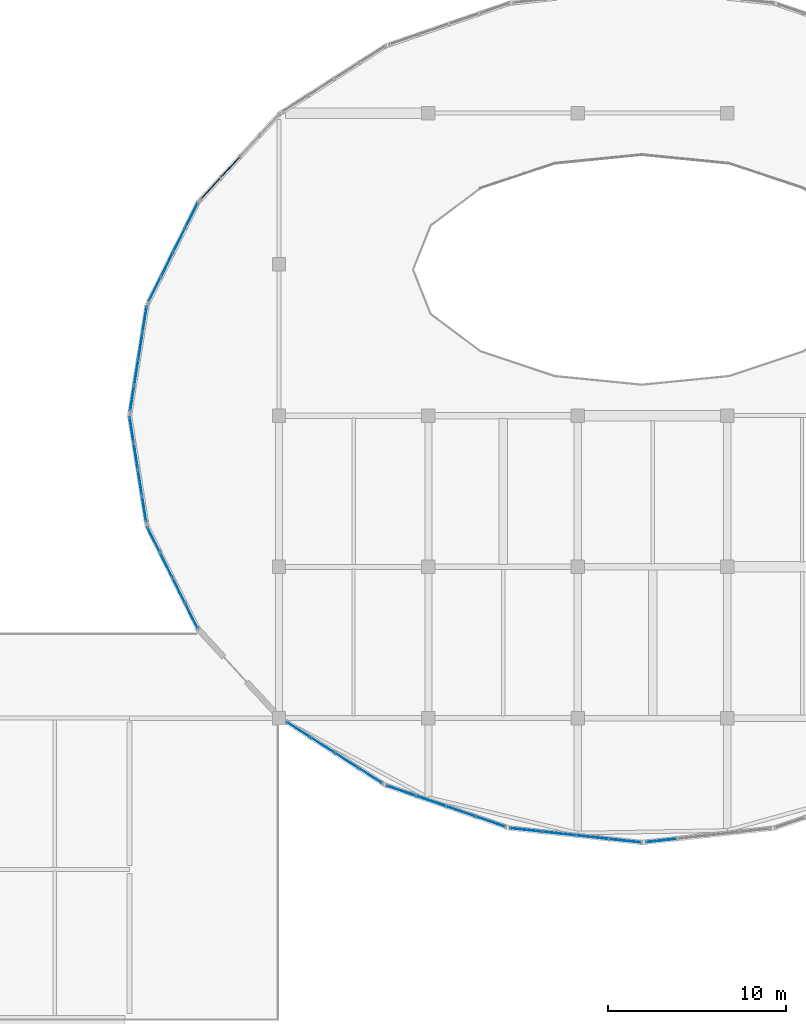
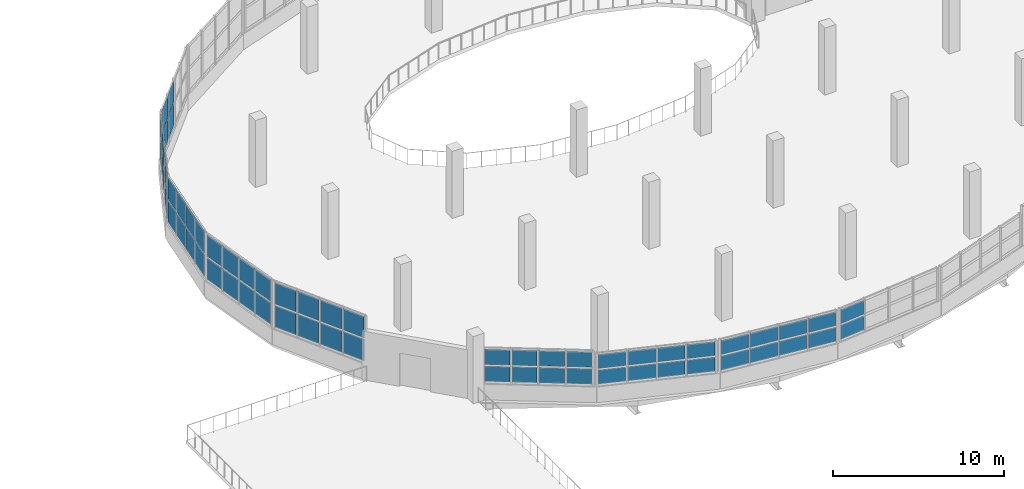
# One storey, part 50 of 77: 62 plates, 9 elements without a shape of their own.
"""IFC4 building model written with IfcOpenShell, lengths in metres."""

from ifc_helpers import new_model, si_unit, direction, frame, origin, origin_2d, place, context, subcontext, project, spatial, rectangle, extrude, material, type_object, element, aggregate, save


model = new_model("IFC4")

# Units and contexts
model_context = context("Model", 3, precision=1e-05, world=origin(), true_north=direction((0.0, 1.0)))
body_context = subcontext(model_context, "Body", "Model", "MODEL_VIEW")
ifc_project = project(units=[si_unit("LENGTHUNIT", "METRE"), si_unit("AREAUNIT", "SQUARE_METRE"), si_unit("VOLUMEUNIT", "CUBIC_METRE"), si_unit("PLANEANGLEUNIT", "RADIAN"), si_unit("MASSUNIT", "GRAM", prefix="KILO")], contexts=[model_context])

# Site, building, storey
site_placement = place(None, origin())
site = spatial("IfcSite", under=ifc_project, at=site_placement, CompositionType="ELEMENT")
building_placement = place(site_placement, origin())
building = spatial("IfcBuilding", under=site, at=building_placement, Name="Solvento Point Concert Hall", CompositionType="ELEMENT")
storey_placement = place(building_placement, frame((0.0, 0.0, 10.199951171875)))
storey = spatial("IfcBuildingStorey", under=building, at=storey_placement, Name="L02", CompositionType="ELEMENT", Elevation=10.199951171875)

# Curtain wall, plates
ifc_material_1 = material(Name="Anodized Bronze Aluminium", Category="aluminium")
curtain_wall_type = type_object("IfcCurtainWallType", Name="CurtainWall_RingRibbon_L01_02", PredefinedType="USERDEFINED", material=ifc_material_1)
curtain_wall_1_placement = place(storey_placement, origin())
curtain_wall_1 = element("IfcCurtainWall", 1, at=curtain_wall_1_placement, inside=storey, type_object=curtain_wall_type, Name="Unitised curtain wall CW-59 UCW-L02-165", ObjectType="UNITISED CURTAIN WALL", PredefinedType="USERDEFINED")
ifc_material_2 = material(Name="Hurricane Laminated Low-E Glass", Category="glass")
plate_type = type_object("IfcPlateType", Name="CurtainPanel_RingLower", PredefinedType="CURTAIN_PANEL", material=ifc_material_2)
plate_1_placement = place(storey_placement, frame((60.245849609375, 10.104736328125, 1.239990234375), z_axis=(0.0, 0.0, 1.0), x_axis=(-0.994035418963, 0.109057717961, 0.0)))
plate_1 = element("IfcPlate", 2, at=plate_1_placement, type_object=plate_type, Name="Glazed curtain panel GL-02", PredefinedType="CURTAIN_PANEL", context=body_context, shape_type="SweptSolid", body=[
    extrude(rectangle(XDim=1.73974609375, YDim=0.0439453125, at=origin_2d()), origin(), (0.0, 0.0, 1.0), 1.0009765625),
])
plate_2_placement = place(storey_placement, frame((60.245849609375, 10.104736328125, 2.361083984375), z_axis=(0.0, 0.0, 1.0), x_axis=(-0.994035418963, 0.109057717961, 0.0)))
plate_2 = element("IfcPlate", 3, at=plate_2_placement, type_object=plate_type, Name="Glazed curtain panel GL-02", PredefinedType="CURTAIN_PANEL", context=body_context, shape_type="SweptSolid", body=[
    extrude(rectangle(XDim=1.73974609375, YDim=0.0439453125, at=origin_2d()), origin(), (0.0, 0.0, 1.0), 1.0009765625),
])
plate_3_placement = place(storey_placement, frame((58.397216796875, 10.3076171875, 1.239990234375), z_axis=(0.0, 0.0, 1.0), x_axis=(-0.994035418963, 0.109057717961, 0.0)))
plate_3 = element("IfcPlate", 4, at=plate_3_placement, type_object=plate_type, Name="Glazed curtain panel GL-02", PredefinedType="CURTAIN_PANEL", context=body_context, shape_type="SweptSolid", body=[
    extrude(rectangle(XDim=1.73974609375, YDim=0.0439453125, at=origin_2d()), origin(), (0.0, 0.0, 1.0), 1.0009765625),
])
plate_4_placement = place(storey_placement, frame((58.397216796875, 10.3076171875, 2.361083984375), z_axis=(0.0, 0.0, 1.0), x_axis=(-0.994035418963, 0.109057717961, 0.0)))
plate_4 = element("IfcPlate", 5, at=plate_4_placement, type_object=plate_type, Name="Glazed curtain panel GL-02", PredefinedType="CURTAIN_PANEL", context=body_context, shape_type="SweptSolid", body=[
    extrude(rectangle(XDim=1.73974609375, YDim=0.0439453125, at=origin_2d()), origin(), (0.0, 0.0, 1.0), 1.0009765625),
])
plate_5_placement = place(storey_placement, frame((56.548583984375, 10.51025390625, 1.239990234375), z_axis=(0.0, 0.0, 1.0), x_axis=(-0.994035418963, 0.109057717961, 0.0)))
plate_5 = element("IfcPlate", 6, at=plate_5_placement, type_object=plate_type, Name="Glazed curtain panel GL-02", PredefinedType="CURTAIN_PANEL", context=body_context, shape_type="SweptSolid", body=[
    extrude(rectangle(XDim=1.73974609375, YDim=0.0439453125, at=origin_2d()), origin(), (0.0, 0.0, 1.0), 1.0009765625),
])
plate_6_placement = place(storey_placement, frame((56.548583984375, 10.51025390625, 2.361083984375), z_axis=(0.0, 0.0, 1.0), x_axis=(-0.994035418963, 0.109057717961, 0.0)))
plate_6 = element("IfcPlate", 7, at=plate_6_placement, type_object=plate_type, Name="Glazed curtain panel GL-02", PredefinedType="CURTAIN_PANEL", context=body_context, shape_type="SweptSolid", body=[
    extrude(rectangle(XDim=1.73974609375, YDim=0.0439453125, at=origin_2d()), origin(), (0.0, 0.0, 1.0), 1.0009765625),
])
plate_7_placement = place(storey_placement, frame((54.7001953125, 10.713134765625, 1.239990234375), z_axis=(0.0, 0.0, 1.0), x_axis=(-0.994035418963, 0.109057717961, 0.0)))
plate_7 = element("IfcPlate", 8, at=plate_7_placement, type_object=plate_type, Name="Glazed curtain panel GL-02", PredefinedType="CURTAIN_PANEL", context=body_context, shape_type="SweptSolid", body=[
    extrude(rectangle(XDim=1.73974609375, YDim=0.0439453125, at=origin_2d()), origin(), (0.0, 0.0, 1.0), 1.0009765625),
])
plate_8_placement = place(storey_placement, frame((54.7001953125, 10.713134765625, 2.361083984375), z_axis=(0.0, 0.0, 1.0), x_axis=(-0.994035418963, 0.109057717961, 0.0)))
plate_8 = element("IfcPlate", 9, at=plate_8_placement, type_object=plate_type, Name="Glazed curtain panel GL-02", PredefinedType="CURTAIN_PANEL", context=body_context, shape_type="SweptSolid", body=[
    extrude(rectangle(XDim=1.73974609375, YDim=0.0439453125, at=origin_2d()), origin(), (0.0, 0.0, 1.0), 1.0009765625),
])
aggregate(curtain_wall_1, [plate_1, plate_2, plate_3, plate_4, plate_5, plate_6, plate_7, plate_8])

curtain_wall_2_placement = place(storey_placement, origin())
curtain_wall_2 = element("IfcCurtainWall", 10, at=curtain_wall_2_placement, inside=storey, type_object=curtain_wall_type, Name="Unitised curtain wall CW-59 UCW-L02-166", ObjectType="UNITISED CURTAIN WALL", PredefinedType="USERDEFINED")
plate_9_placement = place(storey_placement, frame((52.69921875, 11.17919921875, 1.239990234375), z_axis=(0.0, 0.0, 1.0), x_axis=(-0.945271125843, 0.326285915492, 0.0)))
plate_9 = element("IfcPlate", 11, at=plate_9_placement, type_object=plate_type, Name="Glazed curtain panel GL-02", PredefinedType="CURTAIN_PANEL", context=body_context, shape_type="SweptSolid", body=[
    extrude(rectangle(XDim=1.654541015625, YDim=0.0439453125, at=origin_2d()), origin(), (0.0, 0.0, 1.0), 1.0009765625),
])
plate_10_placement = place(storey_placement, frame((52.69921875, 11.17919921875, 2.361083984375), z_axis=(0.0, 0.0, 1.0), x_axis=(-0.945271125843, 0.326285915492, 0.0)))
plate_10 = element("IfcPlate", 12, at=plate_10_placement, type_object=plate_type, Name="Glazed curtain panel GL-02", PredefinedType="CURTAIN_PANEL", context=body_context, shape_type="SweptSolid", body=[
    extrude(rectangle(XDim=1.654541015625, YDim=0.0439453125, at=origin_2d()), origin(), (0.0, 0.0, 1.0), 1.0009765625),
])
plate_11_placement = place(storey_placement, frame((51.02197265625, 11.758056640625, 1.239990234375), z_axis=(0.0, 0.0, 1.0), x_axis=(-0.945271125843, 0.326285915492, 0.0)))
plate_11 = element("IfcPlate", 13, at=plate_11_placement, type_object=plate_type, Name="Glazed curtain panel GL-02", PredefinedType="CURTAIN_PANEL", context=body_context, shape_type="SweptSolid", body=[
    extrude(rectangle(XDim=1.654541015625, YDim=0.0439453125, at=origin_2d()), origin(), (0.0, 0.0, 1.0), 1.0009765625),
])
plate_12_placement = place(storey_placement, frame((51.02197265625, 11.758056640625, 2.361083984375), z_axis=(0.0, 0.0, 1.0), x_axis=(-0.945271125843, 0.326285915492, 0.0)))
plate_12 = element("IfcPlate", 14, at=plate_12_placement, type_object=plate_type, Name="Glazed curtain panel GL-02", PredefinedType="CURTAIN_PANEL", context=body_context, shape_type="SweptSolid", body=[
    extrude(rectangle(XDim=1.654541015625, YDim=0.0439453125, at=origin_2d()), origin(), (0.0, 0.0, 1.0), 1.0009765625),
])
plate_13_placement = place(storey_placement, frame((49.344482421875, 12.337158203125, 1.239990234375), z_axis=(0.0, 0.0, 1.0), x_axis=(-0.945271125843, 0.326285915492, 0.0)))
plate_13 = element("IfcPlate", 15, at=plate_13_placement, type_object=plate_type, Name="Glazed curtain panel GL-02", PredefinedType="CURTAIN_PANEL", context=body_context, shape_type="SweptSolid", body=[
    extrude(rectangle(XDim=1.654541015625, YDim=0.0439453125, at=origin_2d()), origin(), (0.0, 0.0, 1.0), 1.0009765625),
])
plate_14_placement = place(storey_placement, frame((49.344482421875, 12.337158203125, 2.361083984375), z_axis=(0.0, 0.0, 1.0), x_axis=(-0.945271125843, 0.326285915492, 0.0)))
plate_14 = element("IfcPlate", 16, at=plate_14_placement, type_object=plate_type, Name="Glazed curtain panel GL-02", PredefinedType="CURTAIN_PANEL", context=body_context, shape_type="SweptSolid", body=[
    extrude(rectangle(XDim=1.654541015625, YDim=0.0439453125, at=origin_2d()), origin(), (0.0, 0.0, 1.0), 1.0009765625),
])
plate_15_placement = place(storey_placement, frame((47.6669921875, 12.916015625, 1.239990234375), z_axis=(0.0, 0.0, 1.0), x_axis=(-0.945271125843, 0.326285915492, 0.0)))
plate_15 = element("IfcPlate", 17, at=plate_15_placement, type_object=plate_type, Name="Glazed curtain panel GL-02", PredefinedType="CURTAIN_PANEL", context=body_context, shape_type="SweptSolid", body=[
    extrude(rectangle(XDim=1.654541015625, YDim=0.0439453125, at=origin_2d()), origin(), (0.0, 0.0, 1.0), 1.0009765625),
])
plate_16_placement = place(storey_placement, frame((47.6669921875, 12.916015625, 2.361083984375), z_axis=(0.0, 0.0, 1.0), x_axis=(-0.945271125843, 0.326285915492, 0.0)))
plate_16 = element("IfcPlate", 18, at=plate_16_placement, type_object=plate_type, Name="Glazed curtain panel GL-02", PredefinedType="CURTAIN_PANEL", context=body_context, shape_type="SweptSolid", body=[
    extrude(rectangle(XDim=1.654541015625, YDim=0.0439453125, at=origin_2d()), origin(), (0.0, 0.0, 1.0), 1.0009765625),
])
aggregate(curtain_wall_2, [plate_9, plate_10, plate_11, plate_12, plate_13, plate_14, plate_15, plate_16])

curtain_wall_3_placement = place(storey_placement, origin())
curtain_wall_3 = element("IfcCurtainWall", 19, at=curtain_wall_3_placement, inside=storey, type_object=curtain_wall_type, Name="Unitised curtain wall CW-59 UCW-L02-167", ObjectType="UNITISED CURTAIN WALL", PredefinedType="USERDEFINED")
plate_17_placement = place(storey_placement, frame((45.9404296875, 13.76513671875, 1.23974609375), z_axis=(0.0, 0.0, 1.0), x_axis=(-0.842490008251, 0.538711969421, 0.0)))
plate_17 = element("IfcPlate", 20, at=plate_17_placement, type_object=plate_type, Name="Glazed curtain panel GL-02", PredefinedType="CURTAIN_PANEL", context=body_context, shape_type="SweptSolid", body=[
    extrude(rectangle(XDim=1.480712890625, YDim=0.0439453125, at=origin_2d()), origin(), (0.0, 0.0, 1.0), 1.092529296875),
])
plate_18_placement = place(storey_placement, frame((45.9404296875, 13.76513671875, 2.45263671875), z_axis=(0.0, 0.0, 1.0), x_axis=(-0.842490008251, 0.538711969421, 0.0)))
plate_18 = element("IfcPlate", 21, at=plate_18_placement, type_object=plate_type, Name="Glazed curtain panel GL-02", PredefinedType="CURTAIN_PANEL", context=body_context, shape_type="SweptSolid", body=[
    extrude(rectangle(XDim=1.480712890625, YDim=0.0439453125, at=origin_2d()), origin(), (0.0, 0.0, 1.0), 1.092529296875),
])
plate_19_placement = place(storey_placement, frame((44.591796875, 14.62744140625, 1.23974609375), z_axis=(0.0, 0.0, 1.0), x_axis=(-0.842490008251, 0.538711969421, 0.0)))
plate_19 = element("IfcPlate", 22, at=plate_19_placement, type_object=plate_type, Name="Glazed curtain panel GL-02", PredefinedType="CURTAIN_PANEL", context=body_context, shape_type="SweptSolid", body=[
    extrude(rectangle(XDim=1.480712890625, YDim=0.0439453125, at=origin_2d()), origin(), (0.0, 0.0, 1.0), 1.092529296875),
])
plate_20_placement = place(storey_placement, frame((44.591796875, 14.62744140625, 2.45263671875), z_axis=(0.0, 0.0, 1.0), x_axis=(-0.842490008251, 0.538711969421, 0.0)))
plate_20 = element("IfcPlate", 23, at=plate_20_placement, type_object=plate_type, Name="Glazed curtain panel GL-02", PredefinedType="CURTAIN_PANEL", context=body_context, shape_type="SweptSolid", body=[
    extrude(rectangle(XDim=1.480712890625, YDim=0.0439453125, at=origin_2d()), origin(), (0.0, 0.0, 1.0), 1.092529296875),
])
plate_21_placement = place(storey_placement, frame((43.2431640625, 15.48974609375, 1.23974609375), z_axis=(0.0, 0.0, 1.0), x_axis=(-0.842490008251, 0.538711969421, 0.0)))
plate_21 = element("IfcPlate", 24, at=plate_21_placement, type_object=plate_type, Name="Glazed curtain panel GL-02", PredefinedType="CURTAIN_PANEL", context=body_context, shape_type="SweptSolid", body=[
    extrude(rectangle(XDim=1.480712890625, YDim=0.0439453125, at=origin_2d()), origin(), (0.0, 0.0, 1.0), 1.092529296875),
])
plate_22_placement = place(storey_placement, frame((43.2431640625, 15.48974609375, 2.45263671875), z_axis=(0.0, 0.0, 1.0), x_axis=(-0.842490008251, 0.538711969421, 0.0)))
plate_22 = element("IfcPlate", 25, at=plate_22_placement, type_object=plate_type, Name="Glazed curtain panel GL-02", PredefinedType="CURTAIN_PANEL", context=body_context, shape_type="SweptSolid", body=[
    extrude(rectangle(XDim=1.480712890625, YDim=0.0439453125, at=origin_2d()), origin(), (0.0, 0.0, 1.0), 1.092529296875),
])
plate_23_placement = place(storey_placement, frame((41.89453125, 16.35205078125, 1.23974609375), z_axis=(0.0, 0.0, 1.0), x_axis=(-0.842490008251, 0.538711969421, 0.0)))
plate_23 = element("IfcPlate", 26, at=plate_23_placement, type_object=plate_type, Name="Glazed curtain panel GL-02", PredefinedType="CURTAIN_PANEL", context=body_context, shape_type="SweptSolid", body=[
    extrude(rectangle(XDim=1.480712890625, YDim=0.0439453125, at=origin_2d()), origin(), (0.0, 0.0, 1.0), 1.092529296875),
])
plate_24_placement = place(storey_placement, frame((41.89453125, 16.35205078125, 2.45263671875), z_axis=(0.0, 0.0, 1.0), x_axis=(-0.842490008251, 0.538711969421, 0.0)))
plate_24 = element("IfcPlate", 27, at=plate_24_placement, type_object=plate_type, Name="Glazed curtain panel GL-02", PredefinedType="CURTAIN_PANEL", context=body_context, shape_type="SweptSolid", body=[
    extrude(rectangle(XDim=1.480712890625, YDim=0.0439453125, at=origin_2d()), origin(), (0.0, 0.0, 1.0), 1.092529296875),
])
aggregate(curtain_wall_3, [plate_17, plate_18, plate_19, plate_20, plate_21, plate_22, plate_23, plate_24])

curtain_wall_4_placement = place(storey_placement, origin())
curtain_wall_4 = element("IfcCurtainWall", 28, at=curtain_wall_4_placement, inside=storey, type_object=curtain_wall_type, Name="Unitised curtain wall CW-59 UCW-L02-168", ObjectType="UNITISED CURTAIN WALL", PredefinedType="USERDEFINED")
plate_25_placement = place(storey_placement, frame((35.888916015625, 22.74365234375, 1.240234375), z_axis=(0.0, 0.0, 1.0), x_axis=(-0.445115052099, 0.895473388993, 0.0)))
plate_25 = element("IfcPlate", 29, at=plate_25_placement, type_object=plate_type, Name="Glazed curtain panel GL-02", PredefinedType="CURTAIN_PANEL", context=body_context, shape_type="SweptSolid", body=[
    extrude(rectangle(XDim=1.48095703125, YDim=0.0439453125, at=origin_2d()), origin(), (0.0, 0.0, 1.0), 1.530029296875),
])
plate_26_placement = place(storey_placement, frame((35.888916015625, 22.74365234375, 2.89013671875), z_axis=(0.0, 0.0, 1.0), x_axis=(-0.445115052099, 0.895473388993, 0.0)))
plate_26 = element("IfcPlate", 30, at=plate_26_placement, type_object=plate_type, Name="Glazed curtain panel GL-02", PredefinedType="CURTAIN_PANEL", context=body_context, shape_type="SweptSolid", body=[
    extrude(rectangle(XDim=1.48095703125, YDim=0.0439453125, at=origin_2d()), origin(), (0.0, 0.0, 1.0), 1.530029296875),
])
plate_27_placement = place(storey_placement, frame((35.17626953125, 24.17724609375, 1.240234375), z_axis=(0.0, 0.0, 1.0), x_axis=(-0.445115052099, 0.895473388993, 0.0)))
plate_27 = element("IfcPlate", 31, at=plate_27_placement, type_object=plate_type, Name="Glazed curtain panel GL-02", PredefinedType="CURTAIN_PANEL", context=body_context, shape_type="SweptSolid", body=[
    extrude(rectangle(XDim=1.48095703125, YDim=0.0439453125, at=origin_2d()), origin(), (0.0, 0.0, 1.0), 1.530029296875),
])
plate_28_placement = place(storey_placement, frame((35.17626953125, 24.17724609375, 2.89013671875), z_axis=(0.0, 0.0, 1.0), x_axis=(-0.445115052099, 0.895473388993, 0.0)))
plate_28 = element("IfcPlate", 32, at=plate_28_placement, type_object=plate_type, Name="Glazed curtain panel GL-02", PredefinedType="CURTAIN_PANEL", context=body_context, shape_type="SweptSolid", body=[
    extrude(rectangle(XDim=1.48095703125, YDim=0.0439453125, at=origin_2d()), origin(), (0.0, 0.0, 1.0), 1.530029296875),
])
plate_29_placement = place(storey_placement, frame((34.463623046875, 25.611083984375, 1.240234375), z_axis=(0.0, 0.0, 1.0), x_axis=(-0.445115052099, 0.895473388993, 0.0)))
plate_29 = element("IfcPlate", 33, at=plate_29_placement, type_object=plate_type, Name="Glazed curtain panel GL-02", PredefinedType="CURTAIN_PANEL", context=body_context, shape_type="SweptSolid", body=[
    extrude(rectangle(XDim=1.48095703125, YDim=0.0439453125, at=origin_2d()), origin(), (0.0, 0.0, 1.0), 1.530029296875),
])
plate_30_placement = place(storey_placement, frame((34.463623046875, 25.611083984375, 2.89013671875), z_axis=(0.0, 0.0, 1.0), x_axis=(-0.445115052099, 0.895473388993, 0.0)))
plate_30 = element("IfcPlate", 34, at=plate_30_placement, type_object=plate_type, Name="Glazed curtain panel GL-02", PredefinedType="CURTAIN_PANEL", context=body_context, shape_type="SweptSolid", body=[
    extrude(rectangle(XDim=1.48095703125, YDim=0.0439453125, at=origin_2d()), origin(), (0.0, 0.0, 1.0), 1.530029296875),
])
plate_31_placement = place(storey_placement, frame((33.7509765625, 27.044677734375, 1.240234375), z_axis=(0.0, 0.0, 1.0), x_axis=(-0.445115052099, 0.895473388993, 0.0)))
plate_31 = element("IfcPlate", 35, at=plate_31_placement, type_object=plate_type, Name="Glazed curtain panel GL-02", PredefinedType="CURTAIN_PANEL", context=body_context, shape_type="SweptSolid", body=[
    extrude(rectangle(XDim=1.48095703125, YDim=0.0439453125, at=origin_2d()), origin(), (0.0, 0.0, 1.0), 1.530029296875),
])
plate_32_placement = place(storey_placement, frame((33.7509765625, 27.044677734375, 2.89013671875), z_axis=(0.0, 0.0, 1.0), x_axis=(-0.445115052099, 0.895473388993, 0.0)))
plate_32 = element("IfcPlate", 36, at=plate_32_placement, type_object=plate_type, Name="Glazed curtain panel GL-02", PredefinedType="CURTAIN_PANEL", context=body_context, shape_type="SweptSolid", body=[
    extrude(rectangle(XDim=1.48095703125, YDim=0.0439453125, at=origin_2d()), origin(), (0.0, 0.0, 1.0), 1.530029296875),
])
aggregate(curtain_wall_4, [plate_25, plate_26, plate_27, plate_28, plate_29, plate_30, plate_31, plate_32])

curtain_wall_5_placement = place(storey_placement, origin())
curtain_wall_5 = element("IfcCurtainWall", 37, at=curtain_wall_5_placement, inside=storey, type_object=curtain_wall_type, Name="Unitised curtain wall CW-59 UCW-L02-169", ObjectType="UNITISED CURTAIN WALL", PredefinedType="USERDEFINED")
plate_33_placement = place(storey_placement, frame((33.229248046875, 28.751220703125, 1.240234375), z_axis=(0.0, 0.0, 1.0), x_axis=(-0.156041416836, 0.987750513152, 0.0)))
plate_33 = element("IfcPlate", 38, at=plate_33_placement, type_object=plate_type, Name="Glazed curtain panel GL-02", PredefinedType="CURTAIN_PANEL", context=body_context, shape_type="SweptSolid", body=[
    extrude(rectangle(XDim=1.3896484375, YDim=0.0439453125, at=origin_2d()), origin(), (0.0, 0.0, 1.0), 1.530029296875),
])
plate_34_placement = place(storey_placement, frame((33.229248046875, 28.751220703125, 2.89013671875), z_axis=(0.0, 0.0, 1.0), x_axis=(-0.156041416836, 0.987750513152, 0.0)))
plate_34 = element("IfcPlate", 39, at=plate_34_placement, type_object=plate_type, Name="Glazed curtain panel GL-02", PredefinedType="CURTAIN_PANEL", context=body_context, shape_type="SweptSolid", body=[
    extrude(rectangle(XDim=1.3896484375, YDim=0.0439453125, at=origin_2d()), origin(), (0.0, 0.0, 1.0), 1.530029296875),
])
plate_35_placement = place(storey_placement, frame((32.99365234375, 30.242431640625, 1.240234375), z_axis=(0.0, 0.0, 1.0), x_axis=(-0.156041416836, 0.987750513152, 0.0)))
plate_35 = element("IfcPlate", 40, at=plate_35_placement, type_object=plate_type, Name="Glazed curtain panel GL-02", PredefinedType="CURTAIN_PANEL", context=body_context, shape_type="SweptSolid", body=[
    extrude(rectangle(XDim=1.3896484375, YDim=0.0439453125, at=origin_2d()), origin(), (0.0, 0.0, 1.0), 1.530029296875),
])
plate_36_placement = place(storey_placement, frame((32.99365234375, 30.242431640625, 2.89013671875), z_axis=(0.0, 0.0, 1.0), x_axis=(-0.156041416836, 0.987750513152, 0.0)))
plate_36 = element("IfcPlate", 41, at=plate_36_placement, type_object=plate_type, Name="Glazed curtain panel GL-02", PredefinedType="CURTAIN_PANEL", context=body_context, shape_type="SweptSolid", body=[
    extrude(rectangle(XDim=1.3896484375, YDim=0.0439453125, at=origin_2d()), origin(), (0.0, 0.0, 1.0), 1.530029296875),
])
plate_37_placement = place(storey_placement, frame((32.758056640625, 31.733642578125, 1.240234375), z_axis=(0.0, 0.0, 1.0), x_axis=(-0.156041416836, 0.987750513152, 0.0)))
plate_37 = element("IfcPlate", 42, at=plate_37_placement, type_object=plate_type, Name="Glazed curtain panel GL-02", PredefinedType="CURTAIN_PANEL", context=body_context, shape_type="SweptSolid", body=[
    extrude(rectangle(XDim=1.3896484375, YDim=0.0439453125, at=origin_2d()), origin(), (0.0, 0.0, 1.0), 1.530029296875),
])
plate_38_placement = place(storey_placement, frame((32.758056640625, 31.733642578125, 2.89013671875), z_axis=(0.0, 0.0, 1.0), x_axis=(-0.156041416836, 0.987750513152, 0.0)))
plate_38 = element("IfcPlate", 43, at=plate_38_placement, type_object=plate_type, Name="Glazed curtain panel GL-02", PredefinedType="CURTAIN_PANEL", context=body_context, shape_type="SweptSolid", body=[
    extrude(rectangle(XDim=1.3896484375, YDim=0.0439453125, at=origin_2d()), origin(), (0.0, 0.0, 1.0), 1.530029296875),
])
plate_39_placement = place(storey_placement, frame((32.5224609375, 33.224853515625, 1.240234375), z_axis=(0.0, 0.0, 1.0), x_axis=(-0.156041416836, 0.987750513152, 0.0)))
plate_39 = element("IfcPlate", 44, at=plate_39_placement, type_object=plate_type, Name="Glazed curtain panel GL-02", PredefinedType="CURTAIN_PANEL", context=body_context, shape_type="SweptSolid", body=[
    extrude(rectangle(XDim=1.3896484375, YDim=0.0439453125, at=origin_2d()), origin(), (0.0, 0.0, 1.0), 1.530029296875),
])
plate_40_placement = place(storey_placement, frame((32.5224609375, 33.224853515625, 2.89013671875), z_axis=(0.0, 0.0, 1.0), x_axis=(-0.156041416836, 0.987750513152, 0.0)))
plate_40 = element("IfcPlate", 45, at=plate_40_placement, type_object=plate_type, Name="Glazed curtain panel GL-02", PredefinedType="CURTAIN_PANEL", context=body_context, shape_type="SweptSolid", body=[
    extrude(rectangle(XDim=1.3896484375, YDim=0.0439453125, at=origin_2d()), origin(), (0.0, 0.0, 1.0), 1.530029296875),
])
aggregate(curtain_wall_5, [plate_33, plate_34, plate_35, plate_36, plate_37, plate_38, plate_39, plate_40])

curtain_wall_6_placement = place(storey_placement, origin())
curtain_wall_6 = element("IfcCurtainWall", 46, at=curtain_wall_6_placement, inside=storey, type_object=curtain_wall_type, Name="Unitised curtain wall CW-59 UCW-L02-170", ObjectType="UNITISED CURTAIN WALL", PredefinedType="USERDEFINED")
plate_41_placement = place(storey_placement, frame((32.552001953125, 34.962890625, 1.240234375), z_axis=(0.0, 0.0, 1.0), x_axis=(0.156041416836, 0.987750513152, 0.0)))
plate_41 = element("IfcPlate", 47, at=plate_41_placement, type_object=plate_type, Name="Glazed curtain panel GL-02", PredefinedType="CURTAIN_PANEL", context=body_context, shape_type="SweptSolid", body=[
    extrude(rectangle(XDim=1.3896484375, YDim=0.0439453125, at=origin_2d()), origin(), (0.0, 0.0, 1.0), 1.530029296875),
])
plate_42_placement = place(storey_placement, frame((32.552001953125, 34.962890625, 2.89013671875), z_axis=(0.0, 0.0, 1.0), x_axis=(0.156041416836, 0.987750513152, 0.0)))
plate_42 = element("IfcPlate", 48, at=plate_42_placement, type_object=plate_type, Name="Glazed curtain panel GL-02", PredefinedType="CURTAIN_PANEL", context=body_context, shape_type="SweptSolid", body=[
    extrude(rectangle(XDim=1.3896484375, YDim=0.0439453125, at=origin_2d()), origin(), (0.0, 0.0, 1.0), 1.530029296875),
])
plate_43_placement = place(storey_placement, frame((32.78759765625, 36.4541015625, 1.240234375), z_axis=(0.0, 0.0, 1.0), x_axis=(0.156041416836, 0.987750513152, 0.0)))
plate_43 = element("IfcPlate", 49, at=plate_43_placement, type_object=plate_type, Name="Glazed curtain panel GL-02", PredefinedType="CURTAIN_PANEL", context=body_context, shape_type="SweptSolid", body=[
    extrude(rectangle(XDim=1.3896484375, YDim=0.0439453125, at=origin_2d()), origin(), (0.0, 0.0, 1.0), 1.530029296875),
])
plate_44_placement = place(storey_placement, frame((32.78759765625, 36.4541015625, 2.89013671875), z_axis=(0.0, 0.0, 1.0), x_axis=(0.156041416836, 0.987750513152, 0.0)))
plate_44 = element("IfcPlate", 50, at=plate_44_placement, type_object=plate_type, Name="Glazed curtain panel GL-02", PredefinedType="CURTAIN_PANEL", context=body_context, shape_type="SweptSolid", body=[
    extrude(rectangle(XDim=1.3896484375, YDim=0.0439453125, at=origin_2d()), origin(), (0.0, 0.0, 1.0), 1.530029296875),
])
plate_45_placement = place(storey_placement, frame((33.023193359375, 37.9453125, 1.240234375), z_axis=(0.0, 0.0, 1.0), x_axis=(0.156041416836, 0.987750513152, 0.0)))
plate_45 = element("IfcPlate", 51, at=plate_45_placement, type_object=plate_type, Name="Glazed curtain panel GL-02", PredefinedType="CURTAIN_PANEL", context=body_context, shape_type="SweptSolid", body=[
    extrude(rectangle(XDim=1.3896484375, YDim=0.0439453125, at=origin_2d()), origin(), (0.0, 0.0, 1.0), 1.530029296875),
])
plate_46_placement = place(storey_placement, frame((33.023193359375, 37.9453125, 2.89013671875), z_axis=(0.0, 0.0, 1.0), x_axis=(0.156041416836, 0.987750513152, 0.0)))
plate_46 = element("IfcPlate", 52, at=plate_46_placement, type_object=plate_type, Name="Glazed curtain panel GL-02", PredefinedType="CURTAIN_PANEL", context=body_context, shape_type="SweptSolid", body=[
    extrude(rectangle(XDim=1.3896484375, YDim=0.0439453125, at=origin_2d()), origin(), (0.0, 0.0, 1.0), 1.530029296875),
])
plate_47_placement = place(storey_placement, frame((33.2587890625, 39.4365234375, 1.240234375), z_axis=(0.0, 0.0, 1.0), x_axis=(0.156041416836, 0.987750513152, 0.0)))
plate_47 = element("IfcPlate", 53, at=plate_47_placement, type_object=plate_type, Name="Glazed curtain panel GL-02", PredefinedType="CURTAIN_PANEL", context=body_context, shape_type="SweptSolid", body=[
    extrude(rectangle(XDim=1.3896484375, YDim=0.0439453125, at=origin_2d()), origin(), (0.0, 0.0, 1.0), 1.530029296875),
])
plate_48_placement = place(storey_placement, frame((33.2587890625, 39.4365234375, 2.89013671875), z_axis=(0.0, 0.0, 1.0), x_axis=(0.156041416836, 0.987750513152, 0.0)))
plate_48 = element("IfcPlate", 54, at=plate_48_placement, type_object=plate_type, Name="Glazed curtain panel GL-02", PredefinedType="CURTAIN_PANEL", context=body_context, shape_type="SweptSolid", body=[
    extrude(rectangle(XDim=1.3896484375, YDim=0.0439453125, at=origin_2d()), origin(), (0.0, 0.0, 1.0), 1.530029296875),
])
aggregate(curtain_wall_6, [plate_41, plate_42, plate_43, plate_44, plate_45, plate_46, plate_47, plate_48])

curtain_wall_7_placement = place(storey_placement, origin())
curtain_wall_7 = element("IfcCurtainWall", 55, at=curtain_wall_7_placement, inside=storey, type_object=curtain_wall_type, Name="Unitised curtain wall CW-59 UCW-L02-171", ObjectType="UNITISED CURTAIN WALL", PredefinedType="USERDEFINED")
plate_49_placement = place(storey_placement, frame((33.824951171875, 41.104248046875, 1.240234375), z_axis=(0.0, 0.0, 1.0), x_axis=(0.445115052099, 0.895473388993, 0.0)))
plate_49 = element("IfcPlate", 56, at=plate_49_placement, type_object=plate_type, Name="Glazed curtain panel GL-02", PredefinedType="CURTAIN_PANEL", context=body_context, shape_type="SweptSolid", body=[
    extrude(rectangle(XDim=1.43359375, YDim=0.0439453125, at=origin_2d()), origin(), (0.0, 0.0, 1.0), 1.530029296875),
])
plate_50_placement = place(storey_placement, frame((33.824951171875, 41.104248046875, 2.89013671875), z_axis=(0.0, 0.0, 1.0), x_axis=(0.445115052099, 0.895473388993, 0.0)))
plate_50 = element("IfcPlate", 57, at=plate_50_placement, type_object=plate_type, Name="Glazed curtain panel GL-02", PredefinedType="CURTAIN_PANEL", context=body_context, shape_type="SweptSolid", body=[
    extrude(rectangle(XDim=1.43359375, YDim=0.0439453125, at=origin_2d()), origin(), (0.0, 0.0, 1.0), 1.530029296875),
])
plate_51_placement = place(storey_placement, frame((34.516357421875, 42.495361328125, 1.240234375), z_axis=(0.0, 0.0, 1.0), x_axis=(0.445115052099, 0.895473388993, 0.0)))
plate_51 = element("IfcPlate", 58, at=plate_51_placement, type_object=plate_type, Name="Glazed curtain panel GL-02", PredefinedType="CURTAIN_PANEL", context=body_context, shape_type="SweptSolid", body=[
    extrude(rectangle(XDim=1.43359375, YDim=0.0439453125, at=origin_2d()), origin(), (0.0, 0.0, 1.0), 1.530029296875),
])
plate_52_placement = place(storey_placement, frame((34.516357421875, 42.495361328125, 2.89013671875), z_axis=(0.0, 0.0, 1.0), x_axis=(0.445115052099, 0.895473388993, 0.0)))
plate_52 = element("IfcPlate", 59, at=plate_52_placement, type_object=plate_type, Name="Glazed curtain panel GL-02", PredefinedType="CURTAIN_PANEL", context=body_context, shape_type="SweptSolid", body=[
    extrude(rectangle(XDim=1.43359375, YDim=0.0439453125, at=origin_2d()), origin(), (0.0, 0.0, 1.0), 1.530029296875),
])
plate_53_placement = place(storey_placement, frame((35.2080078125, 43.886474609375, 1.240234375), z_axis=(0.0, 0.0, 1.0), x_axis=(0.445115052099, 0.895473388993, 0.0)))
plate_53 = element("IfcPlate", 60, at=plate_53_placement, type_object=plate_type, Name="Glazed curtain panel GL-02", PredefinedType="CURTAIN_PANEL", context=body_context, shape_type="SweptSolid", body=[
    extrude(rectangle(XDim=1.43359375, YDim=0.0439453125, at=origin_2d()), origin(), (0.0, 0.0, 1.0), 1.530029296875),
])
plate_54_placement = place(storey_placement, frame((35.2080078125, 43.886474609375, 2.89013671875), z_axis=(0.0, 0.0, 1.0), x_axis=(0.445115052099, 0.895473388993, 0.0)))
plate_54 = element("IfcPlate", 61, at=plate_54_placement, type_object=plate_type, Name="Glazed curtain panel GL-02", PredefinedType="CURTAIN_PANEL", context=body_context, shape_type="SweptSolid", body=[
    extrude(rectangle(XDim=1.43359375, YDim=0.0439453125, at=origin_2d()), origin(), (0.0, 0.0, 1.0), 1.530029296875),
])
plate_55_placement = place(storey_placement, frame((35.8994140625, 45.277587890625, 1.240234375), z_axis=(0.0, 0.0, 1.0), x_axis=(0.445115052099, 0.895473388993, 0.0)))
plate_55 = element("IfcPlate", 62, at=plate_55_placement, type_object=plate_type, Name="Glazed curtain panel GL-02", PredefinedType="CURTAIN_PANEL", context=body_context, shape_type="SweptSolid", body=[
    extrude(rectangle(XDim=1.43359375, YDim=0.0439453125, at=origin_2d()), origin(), (0.0, 0.0, 1.0), 1.530029296875),
])
plate_56_placement = place(storey_placement, frame((35.8994140625, 45.277587890625, 2.89013671875), z_axis=(0.0, 0.0, 1.0), x_axis=(0.445115052099, 0.895473388993, 0.0)))
plate_56 = element("IfcPlate", 63, at=plate_56_placement, type_object=plate_type, Name="Glazed curtain panel GL-02", PredefinedType="CURTAIN_PANEL", context=body_context, shape_type="SweptSolid", body=[
    extrude(rectangle(XDim=1.43359375, YDim=0.0439453125, at=origin_2d()), origin(), (0.0, 0.0, 1.0), 1.530029296875),
])
aggregate(curtain_wall_7, [plate_49, plate_50, plate_51, plate_52, plate_53, plate_54, plate_55, plate_56])

curtain_wall_8_placement = place(storey_placement, origin())
curtain_wall_8 = element("IfcCurtainWall", 64, at=curtain_wall_8_placement, inside=storey, type_object=curtain_wall_type, Name="Unitised curtain wall CW-59 UCW-L02-172", ObjectType="UNITISED CURTAIN WALL", PredefinedType="USERDEFINED")
plate_57_placement = place(storey_placement, frame((36.95849609375, 46.76025390625, 1.240234375), z_axis=(0.0, 0.0, 1.0), x_axis=(0.677365302802, 0.735646821892, 0.0)))
plate_57 = element("IfcPlate", 65, at=plate_57_placement, type_object=plate_type, Name="Glazed curtain panel GL-02", PredefinedType="CURTAIN_PANEL", context=body_context, shape_type="SweptSolid", body=[
    extrude(rectangle(XDim=1.506591796875, YDim=0.0439453125, at=origin_2d()), origin(), (0.0, 0.0, 1.0), 1.530029296875),
])
plate_58_placement = place(storey_placement, frame((36.95849609375, 46.76025390625, 2.89013671875), z_axis=(0.0, 0.0, 1.0), x_axis=(0.677365302802, 0.735646821892, 0.0)))
plate_58 = element("IfcPlate", 66, at=plate_58_placement, type_object=plate_type, Name="Glazed curtain panel GL-02", PredefinedType="CURTAIN_PANEL", context=body_context, shape_type="SweptSolid", body=[
    extrude(rectangle(XDim=1.506591796875, YDim=0.0439453125, at=origin_2d()), origin(), (0.0, 0.0, 1.0), 1.530029296875),
])
plate_59_placement = place(storey_placement, frame((38.060302734375, 47.956787109375, 1.240234375), z_axis=(0.0, 0.0, 1.0), x_axis=(0.677365302802, 0.735646821892, 0.0)))
plate_59 = element("IfcPlate", 67, at=plate_59_placement, type_object=plate_type, Name="Glazed curtain panel GL-02", PredefinedType="CURTAIN_PANEL", context=body_context, shape_type="SweptSolid", body=[
    extrude(rectangle(XDim=1.506591796875, YDim=0.0439453125, at=origin_2d()), origin(), (0.0, 0.0, 1.0), 1.530029296875),
])
plate_60_placement = place(storey_placement, frame((38.060302734375, 47.956787109375, 2.89013671875), z_axis=(0.0, 0.0, 1.0), x_axis=(0.677365302802, 0.735646821892, 0.0)))
plate_60 = element("IfcPlate", 68, at=plate_60_placement, type_object=plate_type, Name="Glazed curtain panel GL-02", PredefinedType="CURTAIN_PANEL", context=body_context, shape_type="SweptSolid", body=[
    extrude(rectangle(XDim=1.506591796875, YDim=0.0439453125, at=origin_2d()), origin(), (0.0, 0.0, 1.0), 1.530029296875),
])
aggregate(curtain_wall_8, [plate_57, plate_58, plate_59, plate_60])

curtain_wall_9_placement = place(storey_placement, origin())
curtain_wall_9 = element("IfcCurtainWall", 69, at=curtain_wall_9_placement, inside=storey, type_object=curtain_wall_type, Name="Unitised curtain wall CW-59 UCW-L02-185", ObjectType="UNITISED CURTAIN WALL", PredefinedType="USERDEFINED")
plate_61_placement = place(storey_placement, frame((62.2958984375, 10.1201171875, 1.239990234375), z_axis=(0.0, 0.0, 1.0), x_axis=(-0.994035418963, -0.109057717961, 0.0)))
plate_61 = element("IfcPlate", 70, at=plate_61_placement, type_object=plate_type, Name="Glazed curtain panel GL-02", PredefinedType="CURTAIN_PANEL", context=body_context, shape_type="SweptSolid", body=[
    extrude(rectangle(XDim=1.644775390625, YDim=0.0439453125, at=origin_2d()), origin(), (0.0, 0.0, 1.0), 1.0009765625),
])
plate_62_placement = place(storey_placement, frame((62.2958984375, 10.1201171875, 2.361083984375), z_axis=(0.0, 0.0, 1.0), x_axis=(-0.994035418963, -0.109057717961, 0.0)))
plate_62 = element("IfcPlate", 71, at=plate_62_placement, type_object=plate_type, Name="Glazed curtain panel GL-02", PredefinedType="CURTAIN_PANEL", context=body_context, shape_type="SweptSolid", body=[
    extrude(rectangle(XDim=1.644775390625, YDim=0.0439453125, at=origin_2d()), origin(), (0.0, 0.0, 1.0), 1.0009765625),
])
aggregate(curtain_wall_9, [plate_61, plate_62])

save(model, "model.ifc")
